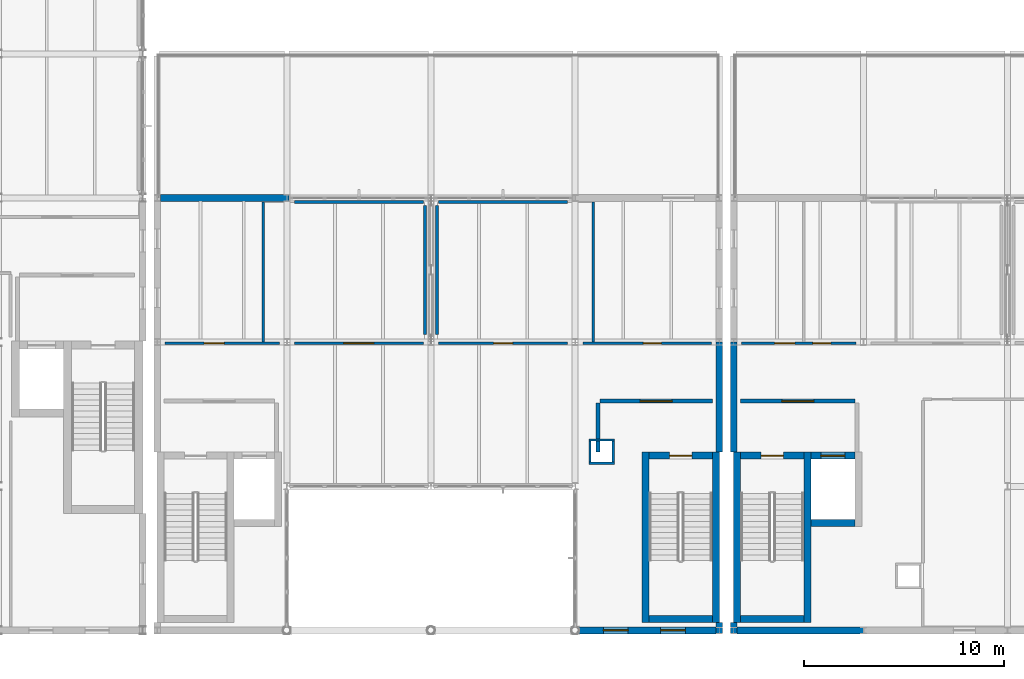
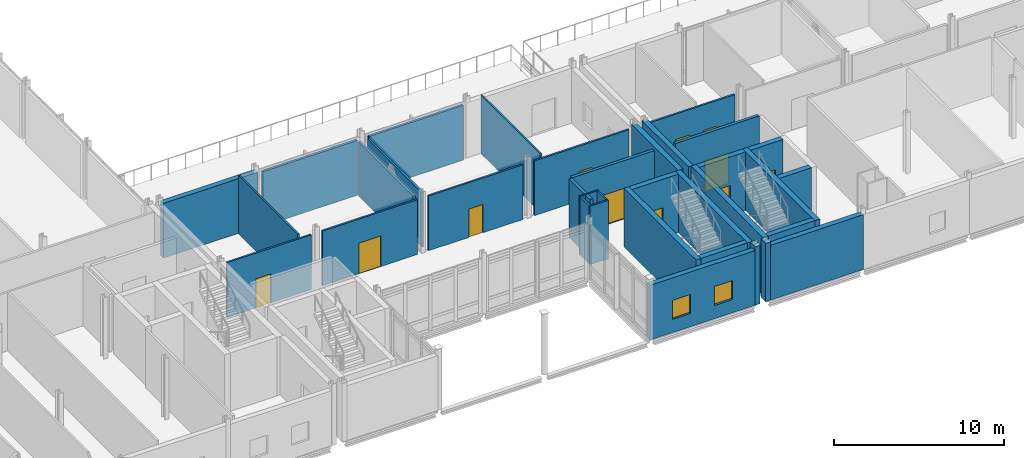
# One storey, part 37 of 53: 35 walls, 11 doors, 2 windows, 13 openings.
"""IFC4 building model written with IfcOpenShell, lengths in metres."""

from ifc_helpers import new_model, si_unit, direction, frame, frame_2d, origin, place, context, subcontext, project, spatial, rectangle, extrude, material, layer, layer_set, type_object, element, fill, save


model = new_model("IFC4")

# Units and contexts
model_context = context("Model", 3, precision=1e-05, world=origin(), true_north=direction((0.0, 1.0)))
body_context = subcontext(model_context, "Body", "Model", "MODEL_VIEW")
ifc_project = project(units=[si_unit("LENGTHUNIT", "METRE"), si_unit("AREAUNIT", "SQUARE_METRE"), si_unit("VOLUMEUNIT", "CUBIC_METRE"), si_unit("PLANEANGLEUNIT", "RADIAN"), si_unit("MASSUNIT", "GRAM", prefix="KILO")], contexts=[model_context])

# Site, building, storey
site_placement = place(None, origin())
site = spatial("IfcSite", under=ifc_project, at=site_placement, CompositionType="ELEMENT")
building_placement = place(site_placement, origin())
building = spatial("IfcBuilding", under=site, at=building_placement, Name="Zarrinpeak Specialist Clinic", CompositionType="ELEMENT")
storey_placement = place(building_placement, frame((0.0, 0.0, 14.0)))
storey = spatial("IfcBuildingStorey", under=building, at=storey_placement, Name="L03", CompositionType="ELEMENT", Elevation=14.0)

# Wall
ifc_material_1 = material(Name="Concrete C40/50", Category="concrete")
ifc_layer_1 = layer(ifc_material_1, 0.35009765625)
ifc_layer_set_1 = layer_set([ifc_layer_1], Name="Concrete C40/50")
wall_type_1 = type_object("IfcWallType", Name="WL-CR350", PredefinedType="SHEAR", material=ifc_layer_set_1)
wall_1_placement = place(storey_placement, frame((54.10009765625, 0.574951171875, 0.0), z_axis=(0.0, 0.0, 1.0), x_axis=(1.0, 0.0, 0.0)))
element("IfcWall", 1, at=wall_1_placement, inside=storey, type_object=wall_type_1, Name="L03 Core C04 Shear Wall STS", PredefinedType="SHEAR", context=body_context, shape_type="SweptSolid", body=[
    extrude(rectangle(XDim=3.14990234375, YDim=0.35009765625, at=frame_2d((1.574951171875, 0.0))), origin(), (0.0, 0.0, 1.0), 4.199951171875),
])

# Wall, opening, door
wall_2_placement = place(storey_placement, frame((54.10009765625, 8.72509765625, 0.0), z_axis=(0.0, 0.0, 1.0), x_axis=(1.0, 0.0, 0.0)))
wall_2 = element("IfcWall", 2, at=wall_2_placement, inside=storey, type_object=wall_type_1, Name="L03 Core C04 Shear Wall STN", PredefinedType="SHEAR", context=body_context, shape_type="SweptSolid", body=[
    extrude(rectangle(XDim=3.14990234375, YDim=0.35009765625, at=frame_2d((1.574951171875, 0.0))), origin(), (0.0, 0.0, 1.0), 4.199951171875),
])
opening_1_placement = place(wall_2_placement, frame((1.02490234375, 0.0, 0.0)))
opening_1 = element("IfcOpeningElement", 3, at=opening_1_placement, cuts=wall_2, Name="Opening D-S02", PredefinedType="OPENING", context=body_context, shape_type="SweptSolid", body=[
    extrude(rectangle(XDim=1.10009765625, YDim=2.14990234375, at=frame_2d((0.550048828125, 1.074951171875))), frame((0.0, 0.18505859375, 0.0), z_axis=(0.0, -1.0, 0.0), x_axis=(1.0, 0.0, 0.0)), (0.0, 0.0, 1.0), 0.3701171875),
])
ifc_material_2 = material(Name="Powder-Coated Galvanised Steel", Category="steel")
door_type_1 = type_object("IfcDoorType", Name="DR-FD110", OperationType="SINGLE_SWING_RIGHT", PredefinedType="DOOR", material=ifc_material_2)
door_1_placement = place(opening_1_placement, frame((1.10009765625, 0.0, 0.0), z_axis=(0.0, 0.0, 1.0), x_axis=(-1.0, 0.0, 0.0)))
door_1 = element("IfcDoor", 4, at=door_1_placement, inside=storey, type_object=door_type_1, Name="L03 Protected Stair ST-04 Fire Door", OperationType="SINGLE_SWING_RIGHT", OverallHeight=2.14990234375, OverallWidth=1.10009765625, PredefinedType="DOOR", context=body_context, shape_type="SweptSolid", body=[
    extrude(rectangle(XDim=1.10009765625, YDim=2.14990234375, at=frame_2d((0.550048828125, 1.074951171875))), frame((0.0, 0.02490234375, 0.0), z_axis=(0.0, -1.0, 0.0), x_axis=(1.0, 0.0, 0.0)), (0.0, 0.0, 1.0), 0.050048828125),
])
fill(opening_1, door_1)

# Walls
for number, where, z_axis, x_axis, name in (
    (5, (53.925048828125, 0.39990234375, 0.0), (0.0, 0.0, 1.0), (0.0, 1.0, 0.0), "L03 Core C04 Shear Wall STW"),
    (6, (57.425048828125, 0.39990234375, 0.0), (0.0, 0.0, 1.0), (0.0, 1.0, 0.0), "L03 Core C04 Shear Wall STE"),
):
    element("IfcWall", number, at=place(storey_placement, frame(where, z_axis=z_axis, x_axis=x_axis)), inside=storey, type_object=wall_type_1, Name=name, PredefinedType="SHEAR", context=body_context, shape_type="SweptSolid", body=[
        extrude(rectangle(XDim=8.5, YDim=0.35009765625, at=frame_2d((4.25, 0.0))), origin(), (0.0, 0.0, 1.0), 4.199951171875),
    ])
wall_3_placement = place(storey_placement, frame((58.669921875, 0.574951171875, 0.0), z_axis=(0.0, 0.0, 1.0), x_axis=(1.0, 0.0, 0.0)))
element("IfcWall", 7, at=wall_3_placement, inside=storey, type_object=wall_type_1, Name="L03 Core C07 Shear Wall STS", PredefinedType="SHEAR", context=body_context, shape_type="SweptSolid", body=[
    extrude(rectangle(XDim=3.150146484375, YDim=0.35009765625, at=frame_2d((1.5751953125, 0.0))), origin(), (0.0, 0.0, 1.0), 4.199951171875),
])

# Wall, opening, door
wall_4_placement = place(storey_placement, frame((58.669921875, 8.72509765625, 0.0), z_axis=(0.0, 0.0, 1.0), x_axis=(1.0, 0.0, 0.0)))
wall_4 = element("IfcWall", 8, at=wall_4_placement, inside=storey, type_object=wall_type_1, Name="L03 Core C07 Shear Wall STN", PredefinedType="SHEAR", context=body_context, shape_type="SweptSolid", body=[
    extrude(rectangle(XDim=3.150146484375, YDim=0.35009765625, at=frame_2d((1.5751953125, 0.0))), origin(), (0.0, 0.0, 1.0), 4.199951171875),
])
opening_2_placement = place(wall_4_placement, frame((1.02490234375, 0.0, 0.0)))
opening_2 = element("IfcOpeningElement", 9, at=opening_2_placement, cuts=wall_4, Name="Opening D-S02", PredefinedType="OPENING", context=body_context, shape_type="SweptSolid", body=[
    extrude(rectangle(XDim=1.10009765625, YDim=2.14990234375, at=frame_2d((0.550048828125, 1.074951171875))), frame((0.0, 0.18505859375, 0.0), z_axis=(0.0, -1.0, 0.0), x_axis=(1.0, 0.0, 0.0)), (0.0, 0.0, 1.0), 0.3701171875),
])
door_2_placement = place(opening_2_placement, frame((1.10009765625, 0.0, 0.0), z_axis=(0.0, 0.0, 1.0), x_axis=(-1.0, 0.0, 0.0)))
door_2 = element("IfcDoor", 10, at=door_2_placement, inside=storey, type_object=door_type_1, Name="L03 Protected Stair ST-07 Fire Door", OperationType="SINGLE_SWING_RIGHT", OverallHeight=2.14990234375, OverallWidth=1.10009765625, PredefinedType="DOOR", context=body_context, shape_type="SweptSolid", body=[
    extrude(rectangle(XDim=1.10009765625, YDim=2.14990234375, at=frame_2d((0.550048828125, 1.074951171875))), frame((0.0, 0.02490234375, 0.0), z_axis=(0.0, -1.0, 0.0), x_axis=(1.0, 0.0, 0.0)), (0.0, 0.0, 1.0), 0.050048828125),
])
fill(opening_2, door_2)

# Walls
for number, where, z_axis, x_axis, name in (
    (11, (58.4951171875, 0.39990234375, 0.0), (0.0, 0.0, 1.0), (0.0, 1.0, 0.0), "L03 Core C07 Shear Wall STW"),
    (12, (61.9951171875, 0.39990234375, 0.0), (0.0, 0.0, 1.0), (0.0, 1.0, 0.0), "L03 Core C07 Shear Wall STE"),
):
    element("IfcWall", number, at=place(storey_placement, frame(where, z_axis=z_axis, x_axis=x_axis)), inside=storey, type_object=wall_type_1, Name=name, PredefinedType="SHEAR", context=body_context, shape_type="SweptSolid", body=[
        extrude(rectangle(XDim=8.5, YDim=0.35009765625, at=frame_2d((4.25, 0.0))), origin(), (0.0, 0.0, 1.0), 4.199951171875),
    ])
wall_5_placement = place(storey_placement, frame((62.169921875, 5.375, 0.0), z_axis=(0.0, 0.0, 1.0), x_axis=(1.0, 0.0, 0.0)))
element("IfcWall", 13, at=wall_5_placement, inside=storey, type_object=wall_type_1, Name="L03 Lift LF-P4 Shaft Wall LFS", PredefinedType="SHEAR", context=body_context, shape_type="SweptSolid", body=[
    extrude(rectangle(XDim=2.2001953125, YDim=0.35009765625, at=frame_2d((1.10009765625, 0.0))), origin(), (0.0, 0.0, 1.0), 4.199951171875),
])

# Wall, opening, door
wall_6_placement = place(storey_placement, frame((62.169921875, 8.72509765625, 0.0), z_axis=(0.0, 0.0, 1.0), x_axis=(1.0, 0.0, 0.0)))
wall_6 = element("IfcWall", 14, at=wall_6_placement, inside=storey, type_object=wall_type_1, Name="L03 Lift LF-P4 Shaft Wall LFN", PredefinedType="SHEAR", context=body_context, shape_type="SweptSolid", body=[
    extrude(rectangle(XDim=2.2001953125, YDim=0.35009765625, at=frame_2d((1.10009765625, 0.0))), origin(), (0.0, 0.0, 1.0), 4.199951171875),
])
opening_3_placement = place(wall_6_placement, frame((0.5, 0.0, 0.0)))
opening_3 = element("IfcOpeningElement", 15, at=opening_3_placement, cuts=wall_6, Name="Opening LD-02", PredefinedType="OPENING", context=body_context, shape_type="SweptSolid", body=[
    extrude(rectangle(XDim=1.199951171875, YDim=2.199951171875, at=frame_2d((0.60009765625, 1.10009765625))), frame((0.0, 0.18505859375, 0.0), z_axis=(0.0, -1.0, 0.0), x_axis=(1.0, 0.0, 0.0)), (0.0, 0.0, 1.0), 0.3701171875),
])
door_type_2 = type_object("IfcDoorType", Name="DR-LD120", OperationType="SLIDING_TO_RIGHT", PredefinedType="DOOR", material=ifc_material_2)
door_3_placement = place(opening_3_placement, origin())
door_3 = element("IfcDoor", 16, at=door_3_placement, inside=storey, type_object=door_type_2, Name="L03 Lift LF-P4 Sliding Landing Door", OperationType="SLIDING_TO_RIGHT", OverallHeight=2.199951171875, OverallWidth=1.199951171875, PredefinedType="DOOR", context=body_context, shape_type="SweptSolid", body=[
    extrude(rectangle(XDim=1.199951171875, YDim=2.199951171875, at=frame_2d((0.60009765625, 1.10009765625))), frame((0.0, 0.02490234375, 0.0), z_axis=(0.0, -1.0, 0.0), x_axis=(1.0, 0.0, 0.0)), (0.0, 0.0, 1.0), 0.050048828125),
])
fill(opening_3, door_3)

# Wall, openings, windows
ifc_material_3 = material(Name="Precast concrete C40/50", Category="concrete")
ifc_layer_2 = layer(ifc_material_3, 0.340087890625)
ifc_layer_set_2 = layer_set([ifc_layer_2], Name="Precast concrete C40/50")
wall_type_2 = type_object("IfcWallType", Name="WL-EW340", PredefinedType="STANDARD", material=ifc_layer_set_2)
wall_7_placement = place(storey_placement, frame((50.2900390625, 0.0, 0.0), z_axis=(0.0, 0.0, 1.0), x_axis=(1.0, 0.0, 0.0)))
wall_7 = element("IfcWall", 17, at=wall_7_placement, inside=storey, type_object=wall_type_2, Name="L03 V2 Exterior GRC Wall EW-L03-V2-0134", PredefinedType="STANDARD", context=body_context, shape_type="SweptSolid", body=[
    extrude(rectangle(XDim=7.139892578125, YDim=0.340087890625, at=frame_2d((3.56982421875, 0.0))), origin(), (0.0, 0.0, 1.0), 3.93505859375),
])
opening_4_placement = place(wall_7_placement, frame((1.52490234375, 0.0, 0.949951171875)))
opening_4 = element("IfcOpeningElement", 18, at=opening_4_placement, cuts=wall_7, Name="Opening WS-51", PredefinedType="OPENING", context=body_context, shape_type="SweptSolid", body=[
    extrude(rectangle(XDim=1.23388671875, YDim=1.367919921875, at=frame_2d((0.616943359375, 0.68408203125))), frame((0.0, 0.18017578125, 0.0), z_axis=(0.0, -1.0, 0.0), x_axis=(1.0, 0.0, 0.0)), (0.0, 0.0, 1.0), 0.360107421875),
])
opening_5_placement = place(wall_7_placement, frame((4.381103515625, 0.0, 0.949951171875)))
opening_5 = element("IfcOpeningElement", 19, at=opening_5_placement, cuts=wall_7, Name="Opening WS-51", PredefinedType="OPENING", context=body_context, shape_type="SweptSolid", body=[
    extrude(rectangle(XDim=1.23388671875, YDim=1.367919921875, at=frame_2d((0.616943359375, 0.68408203125))), frame((0.0, 0.18017578125, 0.0), z_axis=(0.0, -1.0, 0.0), x_axis=(1.0, 0.0, 0.0)), (0.0, 0.0, 1.0), 0.360107421875),
])
ifc_material_4 = material(Name="Thermally Broken Aluminium and Low-E Glazing", Category="aluminium")
window_type = type_object("IfcWindowType", Name="WN-SP51", PartitioningType="SINGLE_PANEL", PredefinedType="WINDOW", material=ifc_material_4)
window_1_placement = place(opening_4_placement, origin())
window_1 = element("IfcWindow", 20, at=window_1_placement, inside=storey, type_object=window_type, Name="L03 Modular Facade Window WN-L03-0170", OverallHeight=1.367919921875, OverallWidth=1.23388671875, PartitioningType="SINGLE_PANEL", PredefinedType="WINDOW", context=body_context, shape_type="SweptSolid", body=[
    extrude(rectangle(XDim=1.23388671875, YDim=1.367919921875, at=frame_2d((0.616943359375, 0.68408203125))), frame((0.0, 0.030029296875, 0.0), z_axis=(0.0, -1.0, 0.0), x_axis=(1.0, 0.0, 0.0)), (0.0, 0.0, 1.0), 0.06005859375),
])
fill(opening_4, window_1)
window_2_placement = place(opening_5_placement, origin())
window_2 = element("IfcWindow", 21, at=window_2_placement, inside=storey, type_object=window_type, Name="L03 Modular Facade Window WN-L03-0171", OverallHeight=1.367919921875, OverallWidth=1.23388671875, PartitioningType="SINGLE_PANEL", PredefinedType="WINDOW", context=body_context, shape_type="SweptSolid", body=[
    extrude(rectangle(XDim=1.23388671875, YDim=1.367919921875, at=frame_2d((0.616943359375, 0.68408203125))), frame((0.0, 0.030029296875, 0.0), z_axis=(0.0, -1.0, 0.0), x_axis=(1.0, 0.0, 0.0)), (0.0, 0.0, 1.0), 0.06005859375),
])
fill(opening_5, window_2)

# Walls
wall_8_placement = place(storey_placement, frame((36.110107421875, 21.60009765625, 0.0), z_axis=(0.0, 0.0, 1.0), x_axis=(-1.0, 0.0, 0.0)))
element("IfcWall", 22, at=wall_8_placement, inside=storey, type_object=wall_type_2, Name="L03 V2 Exterior GRC Wall EW-L03-V2-0135", PredefinedType="STANDARD", context=body_context, shape_type="SweptSolid", body=[
    extrude(rectangle(XDim=6.420166015625, YDim=0.340087890625, at=frame_2d((3.2099609375, 0.0))), origin(), (0.0, 0.0, 1.0), 3.93505859375),
])
wall_9_placement = place(storey_placement, frame((57.60009765625, -0.169921875, 0.0), z_axis=(0.0, 0.0, 1.0), x_axis=(0.0, 1.0, 0.0)))
element("IfcWall", 23, at=wall_9_placement, inside=storey, type_object=wall_type_2, Name="L03 V2 Exterior GRC Wall EW-L03-V2-0140", PredefinedType="STANDARD", context=body_context, shape_type="SweptSolid", body=[
    extrude(rectangle(XDim=0.56982421875, YDim=0.340087890625, at=frame_2d((0.284912109375, 0.0))), origin(), (0.0, 0.0, 1.0), 4.199951171875),
])
wall_10_placement = place(storey_placement, frame((57.60009765625, 8.89990234375, 0.0), z_axis=(0.0, 0.0, 1.0), x_axis=(0.0, 1.0, 0.0)))
element("IfcWall", 24, at=wall_10_placement, inside=storey, type_object=wall_type_2, Name="L03 V2 Exterior GRC Wall EW-L03-V2-0141", PredefinedType="STANDARD", context=body_context, shape_type="SweptSolid", body=[
    extrude(rectangle(XDim=5.5, YDim=0.340087890625, at=frame_2d((2.75, 0.0))), origin(), (0.0, 0.0, 1.0), 4.199951171875),
])
wall_11_placement = place(storey_placement, frame((58.489990234375, 0.0, 0.0), z_axis=(0.0, 0.0, 1.0), x_axis=(1.0, 0.0, 0.0)))
element("IfcWall", 25, at=wall_11_placement, inside=storey, type_object=wall_type_2, Name="L03 V4 Exterior GRC Wall EW-L03-V4-0190", PredefinedType="STANDARD", context=body_context, shape_type="SweptSolid", body=[
    extrude(rectangle(XDim=6.31005859375, YDim=0.340087890625, at=frame_2d((3.155029296875, 0.0))), origin(), (0.0, 0.0, 1.0), 3.93505859375),
])
wall_12_placement = place(storey_placement, frame((58.320068359375, 0.39990234375, 0.0), z_axis=(0.0, 0.0, 1.0), x_axis=(0.0, -1.0, 0.0)))
element("IfcWall", 26, at=wall_12_placement, inside=storey, type_object=wall_type_2, Name="L03 V4 Exterior GRC Wall EW-L03-V4-0196", PredefinedType="STANDARD", context=body_context, shape_type="SweptSolid", body=[
    extrude(rectangle(XDim=0.56982421875, YDim=0.340087890625, at=frame_2d((0.284912109375, 0.0))), origin(), (0.0, 0.0, 1.0), 4.199951171875),
])
wall_13_placement = place(storey_placement, frame((58.320068359375, 14.39990234375, 0.0), z_axis=(0.0, 0.0, 1.0), x_axis=(0.0, -1.0, 0.0)))
element("IfcWall", 27, at=wall_13_placement, inside=storey, type_object=wall_type_2, Name="L03 V4 Exterior GRC Wall EW-L03-V4-0197", PredefinedType="STANDARD", context=body_context, shape_type="SweptSolid", body=[
    extrude(rectangle(XDim=5.5, YDim=0.340087890625, at=frame_2d((2.75, 0.0))), origin(), (0.0, 0.0, 1.0), 4.199951171875),
])
ifc_material_5 = material(Name="Sanitary Service Chase Plumbing Wall", Category="gypsum")
ifc_layer_3 = layer(ifc_material_5, 0.110107421875)
ifc_layer_set_3 = layer_set([ifc_layer_3], Name="Sanitary Service Chase Plumbing Wall")
wall_type_3 = type_object("IfcWallType", Name="WL-IW110", PredefinedType="PARTITIONING", material=ifc_layer_set_3)
for number, where, z_axis, x_axis, name in (
    (28, (51.090087890625, 8.344970703125, 0.0), (0.0, 0.0, 1.0), (1.0, 0.0, 0.0), "L03 V2 Enclosed MEP Service Riser Wall S"),
    (29, (51.090087890625, 9.5048828125, 0.0), (0.0, 0.0, 1.0), (1.0, 0.0, 0.0), "L03 V2 Enclosed MEP Service Riser Wall N"),
):
    element("IfcWall", number, at=place(storey_placement, frame(where, z_axis=z_axis, x_axis=x_axis)), inside=storey, type_object=wall_type_3, Name=name, PredefinedType="PARTITIONING", context=body_context, shape_type="SweptSolid", body=[
        extrude(rectangle(XDim=1.27001953125, YDim=0.110107421875, at=frame_2d((0.635009765625, 0.0))), origin(), (0.0, 0.0, 1.0), 4.199951171875),
    ])
for number, where, z_axis, x_axis, name in (
    (30, (51.14501953125, 8.39990234375, 0.0), (0.0, 0.0, 1.0), (0.0, 1.0, 0.0), "L03 V2 Enclosed MEP Service Riser Wall W"),
    (31, (52.304931640625, 8.39990234375, 0.0), (0.0, 0.0, 1.0), (0.0, 1.0, 0.0), "L03 V2 Enclosed MEP Service Riser Wall E"),
):
    element("IfcWall", number, at=place(storey_placement, frame(where, z_axis=z_axis, x_axis=x_axis)), inside=storey, type_object=wall_type_3, Name=name, PredefinedType="PARTITIONING", context=body_context, shape_type="SweptSolid", body=[
        extrude(rectangle(XDim=1.050048828125, YDim=0.110107421875, at=frame_2d((0.52490234375, 0.0))), origin(), (0.0, 0.0, 1.0), 4.199951171875),
    ])
for number, where, z_axis, x_axis, name in (
    (32, (34.820068359375, 14.41259765625, 0.0), (0.0, 0.0, 1.0), (0.0, 1.0, 0.0), "L03 Accessible Family WC Dividing Partition"),
    (33, (51.300048828125, 14.41259765625, 0.0), (0.0, 0.0, 1.0), (0.0, 1.0, 0.0), "L03 Paediatric Washroom Dividing Partition"),
):
    element("IfcWall", number, at=place(storey_placement, frame(where, z_axis=z_axis, x_axis=x_axis)), inside=storey, type_object=wall_type_3, Name=name, PredefinedType="PARTITIONING", context=body_context, shape_type="SweptSolid", body=[
        extrude(rectangle(XDim=6.9873046875, YDim=0.110107421875, at=frame_2d((3.49365234375, 0.0))), origin(), (0.0, 0.0, 1.0), 4.199951171875),
    ])

# Wall, opening, door
ifc_material_6 = material(Name="Moisture-Resistant Wet-Room Partition", Category="gypsum")
ifc_layer_4 = layer(ifc_material_6, 0.125)
ifc_layer_set_4 = layer_set([ifc_layer_4], Name="Moisture-Resistant Wet-Room Partition")
wall_type_4 = type_object("IfcWallType", Name="WL-IW125W", PredefinedType="PARTITIONING", material=ifc_layer_set_4)
wall_14_placement = place(storey_placement, frame((29.89990234375, 14.35009765625, 0.0), z_axis=(0.0, 0.0, 1.0), x_axis=(1.0, 0.0, 0.0)))
wall_14 = element("IfcWall", 34, at=wall_14_placement, inside=storey, type_object=wall_type_4, Name="L03 Accessible Family WC Partition", PredefinedType="PARTITIONING", context=body_context, shape_type="SweptSolid", body=[
    extrude(rectangle(XDim=5.72021484375, YDim=0.125, at=frame_2d((2.860107421875, 0.0))), origin(), (0.0, 0.0, 1.0), 3.93505859375),
])
opening_6_placement = place(wall_14_placement, frame((1.9599609375, 0.0, 0.0)))
opening_6 = element("IfcOpeningElement", 35, at=opening_6_placement, cuts=wall_14, Name="Opening D-W02", PredefinedType="OPENING", context=body_context, shape_type="SweptSolid", body=[
    extrude(rectangle(XDim=1.0, YDim=2.10009765625, at=frame_2d((0.5, 1.050048828125))), frame((0.0, 0.072509765625, 0.0), z_axis=(0.0, -1.0, 0.0), x_axis=(1.0, 0.0, 0.0)), (0.0, 0.0, 1.0), 0.14501953125),
])
door_type_3 = type_object("IfcDoorType", Name="DR-AWC100", OperationType="SLIDING_TO_LEFT", PredefinedType="DOOR", material=ifc_material_2)
door_4_placement = place(opening_6_placement, frame((1.0, 0.0, 0.0), z_axis=(0.0, 0.0, 1.0), x_axis=(-1.0, 0.0, 0.0)))
door_4 = element("IfcDoor", 36, at=door_4_placement, inside=storey, type_object=door_type_3, Name="L03 Accessible Family WC Door", OperationType="SLIDING_TO_LEFT", OverallHeight=2.10009765625, OverallWidth=1.0, PredefinedType="DOOR", context=body_context, shape_type="SweptSolid", body=[
    extrude(rectangle(XDim=1.0, YDim=2.10009765625, at=frame_2d((0.5, 1.050048828125))), frame((0.0, 0.02490234375, 0.0), z_axis=(0.0, -1.0, 0.0), x_axis=(1.0, 0.0, 0.0)), (0.0, 0.0, 1.0), 0.050048828125),
])
fill(opening_6, door_4)

wall_15_placement = place(storey_placement, frame((36.3798828125, 14.35009765625, 0.0), z_axis=(0.0, 0.0, 1.0), x_axis=(1.0, 0.0, 0.0)))
wall_15 = element("IfcWall", 37, at=wall_15_placement, inside=storey, type_object=wall_type_4, Name="L03 Accessible Family WC Partition", PredefinedType="PARTITIONING", context=body_context, shape_type="SweptSolid", body=[
    extrude(rectangle(XDim=6.440185546875, YDim=0.125, at=frame_2d((3.22021484375, 0.0))), origin(), (0.0, 0.0, 1.0), 3.93505859375),
])
opening_7_placement = place(wall_15_placement, frame((2.469970703125, 0.0, 0.0)))
opening_7 = element("IfcOpeningElement", 38, at=opening_7_placement, cuts=wall_15, Name="Opening D-B01", PredefinedType="OPENING", context=body_context, shape_type="SweptSolid", body=[
    extrude(rectangle(XDim=1.5, YDim=2.199951171875, at=frame_2d((0.75, 1.10009765625))), frame((0.0, 0.072509765625, 0.0), z_axis=(0.0, -1.0, 0.0), x_axis=(1.0, 0.0, 0.0)), (0.0, 0.0, 1.0), 0.14501953125),
])
door_type_4 = type_object("IfcDoorType", Name="DR-BED150", OperationType="DOUBLE_DOOR_SINGLE_SWING", PredefinedType="DOOR", material=ifc_material_2)
door_5_placement = place(opening_7_placement, frame((1.5, 0.0, 0.0), z_axis=(0.0, 0.0, 1.0), x_axis=(-1.0, 0.0, 0.0)))
door_5 = element("IfcDoor", 39, at=door_5_placement, inside=storey, type_object=door_type_4, Name="L03 Paediatric Vaccination Room Door", OperationType="DOUBLE_DOOR_SINGLE_SWING", OverallHeight=2.199951171875, OverallWidth=1.5, PredefinedType="DOOR", context=body_context, shape_type="SweptSolid", body=[
    extrude(rectangle(XDim=1.5, YDim=2.199951171875, at=frame_2d((0.75, 1.10009765625))), frame((0.0, 0.02490234375, 0.0), z_axis=(0.0, -1.0, 0.0), x_axis=(1.0, 0.0, 0.0)), (0.0, 0.0, 1.0), 0.050048828125),
])
fill(opening_7, door_5)

wall_16_placement = place(storey_placement, frame((43.580078125, 14.35009765625, 0.0), z_axis=(0.0, 0.0, 1.0), x_axis=(1.0, 0.0, 0.0)))
wall_16 = element("IfcWall", 40, at=wall_16_placement, inside=storey, type_object=wall_type_4, Name="L03 Paediatric Washroom Partition", PredefinedType="PARTITIONING", context=body_context, shape_type="SweptSolid", body=[
    extrude(rectangle(XDim=6.43994140625, YDim=0.125, at=frame_2d((3.219970703125, 0.0))), origin(), (0.0, 0.0, 1.0), 3.93505859375),
])
opening_8_placement = place(wall_16_placement, frame((2.740966796875, 0.0, 0.0)))
opening_8 = element("IfcOpeningElement", 41, at=opening_8_placement, cuts=wall_16, Name="Opening DS-04", PredefinedType="OPENING", context=body_context, shape_type="SweptSolid", body=[
    extrude(rectangle(XDim=0.9580078125, YDim=2.0400390625, at=frame_2d((0.47900390625, 1.02001953125))), frame((0.0, 0.072509765625, 0.0), z_axis=(0.0, -1.0, 0.0), x_axis=(1.0, 0.0, 0.0)), (0.0, 0.0, 1.0), 0.14501953125),
])
door_type_5 = type_object("IfcDoorType", Name="DR-SP04", OperationType="SINGLE_SWING_LEFT", PredefinedType="DOOR", material=ifc_material_2)
door_6_placement = place(opening_8_placement, frame((0.9580078125, 0.0, 0.0), z_axis=(0.0, 0.0, 1.0), x_axis=(-1.0, 0.0, 0.0)))
door_6 = element("IfcDoor", 42, at=door_6_placement, inside=storey, type_object=door_type_5, Name="L03 Paediatric Growth Clinic Door", OperationType="SINGLE_SWING_LEFT", OverallHeight=2.0400390625, OverallWidth=0.9580078125, PredefinedType="DOOR", context=body_context, shape_type="SweptSolid", body=[
    extrude(rectangle(XDim=0.9580078125, YDim=2.0400390625, at=frame_2d((0.47900390625, 1.02001953125))), frame((0.0, 0.02490234375, 0.0), z_axis=(0.0, -1.0, 0.0), x_axis=(1.0, 0.0, 0.0)), (0.0, 0.0, 1.0), 0.050048828125),
])
fill(opening_8, door_6)

wall_17_placement = place(storey_placement, frame((50.780029296875, 14.35009765625, 0.0), z_axis=(0.0, 0.0, 1.0), x_axis=(1.0, 0.0, 0.0)))
wall_17 = element("IfcWall", 43, at=wall_17_placement, inside=storey, type_object=wall_type_4, Name="L03 Paediatric Washroom Partition", PredefinedType="PARTITIONING", context=body_context, shape_type="SweptSolid", body=[
    extrude(rectangle(XDim=6.43994140625, YDim=0.125, at=frame_2d((3.219970703125, 0.0))), origin(), (0.0, 0.0, 1.0), 3.93505859375),
])
opening_9_placement = place(wall_17_placement, frame((3.030029296875, 0.0, 0.0)))
opening_9 = element("IfcOpeningElement", 44, at=opening_9_placement, cuts=wall_17, Name="Opening D-W01", PredefinedType="OPENING", context=body_context, shape_type="SweptSolid", body=[
    extrude(rectangle(XDim=0.89990234375, YDim=2.10009765625, at=frame_2d((0.449951171875, 1.050048828125))), frame((0.0, 0.072509765625, 0.0), z_axis=(0.0, -1.0, 0.0), x_axis=(1.0, 0.0, 0.0)), (0.0, 0.0, 1.0), 0.14501953125),
])
door_type_6 = type_object("IfcDoorType", Name="DR-WC90", OperationType="SINGLE_SWING_RIGHT", PredefinedType="DOOR", material=ifc_material_2)
door_7_placement = place(opening_9_placement, frame((0.89990234375, 0.0, 0.0), z_axis=(0.0, 0.0, 1.0), x_axis=(-1.0, 0.0, 0.0)))
door_7 = element("IfcDoor", 45, at=door_7_placement, inside=storey, type_object=door_type_6, Name="L03 Paediatric Washroom Door", OperationType="SINGLE_SWING_RIGHT", OverallHeight=2.10009765625, OverallWidth=0.89990234375, PredefinedType="DOOR", context=body_context, shape_type="SweptSolid", body=[
    extrude(rectangle(XDim=0.89990234375, YDim=2.10009765625, at=frame_2d((0.449951171875, 1.050048828125))), frame((0.0, 0.02490234375, 0.0), z_axis=(0.0, -1.0, 0.0), x_axis=(1.0, 0.0, 0.0)), (0.0, 0.0, 1.0), 0.050048828125),
])
fill(opening_9, door_7)

# Wall, openings, doors
wall_18_placement = place(storey_placement, frame((58.699951171875, 14.35009765625, 0.0), z_axis=(0.0, 0.0, 1.0), x_axis=(1.0, 0.0, 0.0)))
wall_18 = element("IfcWall", 46, at=wall_18_placement, inside=storey, type_object=wall_type_4, Name="L03 Accessible Patient WC Partition", PredefinedType="PARTITIONING", context=body_context, shape_type="SweptSolid", body=[
    extrude(rectangle(XDim=5.719970703125, YDim=0.125, at=frame_2d((2.85986328125, 0.0))), origin(), (0.0, 0.0, 1.0), 3.93505859375),
])
opening_10_placement = place(wall_18_placement, frame((1.669921875, 0.0, 0.0)))
opening_10 = element("IfcOpeningElement", 47, at=opening_10_placement, cuts=wall_18, Name="Opening D-W02", PredefinedType="OPENING", context=body_context, shape_type="SweptSolid", body=[
    extrude(rectangle(XDim=1.0, YDim=2.10009765625, at=frame_2d((0.5, 1.050048828125))), frame((0.0, 0.072509765625, 0.0), z_axis=(0.0, -1.0, 0.0), x_axis=(1.0, 0.0, 0.0)), (0.0, 0.0, 1.0), 0.14501953125),
])
opening_11_placement = place(wall_18_placement, frame((3.570068359375, 0.0, 0.0)))
opening_11 = element("IfcOpeningElement", 48, at=opening_11_placement, cuts=wall_18, Name="Opening D-W01", PredefinedType="OPENING", context=body_context, shape_type="SweptSolid", body=[
    extrude(rectangle(XDim=0.89990234375, YDim=2.10009765625, at=frame_2d((0.449951171875, 1.050048828125))), frame((0.0, 0.072509765625, 0.0), z_axis=(0.0, -1.0, 0.0), x_axis=(1.0, 0.0, 0.0)), (0.0, 0.0, 1.0), 0.14501953125),
])
door_8_placement = place(opening_10_placement, frame((1.0, 0.0, 0.0), z_axis=(0.0, 0.0, 1.0), x_axis=(-1.0, 0.0, 0.0)))
door_8 = element("IfcDoor", 49, at=door_8_placement, inside=storey, type_object=door_type_3, Name="L03 Accessible Patient WC Door", OperationType="SLIDING_TO_LEFT", OverallHeight=2.10009765625, OverallWidth=1.0, PredefinedType="DOOR", context=body_context, shape_type="SweptSolid", body=[
    extrude(rectangle(XDim=1.0, YDim=2.10009765625, at=frame_2d((0.5, 1.050048828125))), frame((0.0, 0.02490234375, 0.0), z_axis=(0.0, -1.0, 0.0), x_axis=(1.0, 0.0, 0.0)), (0.0, 0.0, 1.0), 0.050048828125),
])
fill(opening_10, door_8)
door_9_placement = place(opening_11_placement, frame((0.89990234375, 0.0, 0.0), z_axis=(0.0, 0.0, 1.0), x_axis=(-1.0, 0.0, 0.0)))
door_9 = element("IfcDoor", 50, at=door_9_placement, inside=storey, type_object=door_type_6, Name="L03 Staff WC Door", OperationType="SINGLE_SWING_RIGHT", OverallHeight=2.10009765625, OverallWidth=0.89990234375, PredefinedType="DOOR", context=body_context, shape_type="SweptSolid", body=[
    extrude(rectangle(XDim=0.89990234375, YDim=2.10009765625, at=frame_2d((0.449951171875, 1.050048828125))), frame((0.0, 0.02490234375, 0.0), z_axis=(0.0, -1.0, 0.0), x_axis=(1.0, 0.0, 0.0)), (0.0, 0.0, 1.0), 0.050048828125),
])
fill(opening_11, door_9)

# Walls
ifc_material_7 = material(Name="Acoustic Consultation Stud Partition", Category="gypsum")
ifc_layer_5 = layer(ifc_material_7, 0.14208984375)
ifc_layer_set_5 = layer_set([ifc_layer_5], Name="Acoustic Consultation Stud Partition")
wall_type_5 = type_object("IfcWallType", Name="WL-IW142", PredefinedType="PARTITIONING", material=ifc_layer_set_5)
wall_19_placement = place(storey_placement, frame((43.5, 14.780029296875, 0.0), z_axis=(0.0, 0.0, 1.0), x_axis=(0.0, 1.0, 0.0)))
element("IfcWall", 51, at=wall_19_placement, inside=storey, type_object=wall_type_5, Name="L03 Paediatric Growth Clinic Dividing Partition", PredefinedType="PARTITIONING", context=body_context, shape_type="SweptSolid", body=[
    extrude(rectangle(XDim=6.43994140625, YDim=0.14208984375, at=frame_2d((3.219970703125, 0.0))), origin(), (0.0, 0.0, 1.0), 3.89501953125),
])
ifc_material_8 = material(Name="Insulated Clinical Gypsum Stud Partition", Category="gypsum")
ifc_layer_6 = layer(ifc_material_8, 0.14990234375)
ifc_layer_set_6 = layer_set([ifc_layer_6], Name="Insulated Clinical Gypsum Stud Partition")
wall_type_6 = type_object("IfcWallType", Name="WL-IW150", PredefinedType="PARTITIONING", material=ifc_layer_set_6)
wall_20_placement = place(storey_placement, frame((43.580078125, 21.39990234375, 0.0), z_axis=(0.0, 0.0, 1.0), x_axis=(1.0, 0.0, 0.0)))
element("IfcWall", 52, at=wall_20_placement, inside=storey, type_object=wall_type_6, Name="L03 Paediatric Growth Clinic Partition", PredefinedType="PARTITIONING", context=body_context, shape_type="SweptSolid", body=[
    extrude(rectangle(XDim=6.43994140625, YDim=0.14990234375, at=frame_2d((3.219970703125, 0.0))), origin(), (0.0, 0.0, 1.0), 3.93505859375),
])
wall_21_placement = place(storey_placement, frame((42.89990234375, 14.780029296875, 0.0), z_axis=(0.0, 0.0, 1.0), x_axis=(0.0, 1.0, 0.0)))
element("IfcWall", 53, at=wall_21_placement, inside=storey, type_object=wall_type_6, Name="L03 Paediatric Vaccination Room Dividing Partition", PredefinedType="PARTITIONING", context=body_context, shape_type="SweptSolid", body=[
    extrude(rectangle(XDim=6.43994140625, YDim=0.14990234375, at=frame_2d((3.219970703125, 0.0))), origin(), (0.0, 0.0, 1.0), 3.89501953125),
])
ifc_material_9 = material(Name="Acoustic Double Gypsum Stud Partition", Category="gypsum")
ifc_layer_7 = layer(ifc_material_9, 0.159912109375)
ifc_layer_set_7 = layer_set([ifc_layer_7], Name="Acoustic Double Gypsum Stud Partition")
wall_type_7 = type_object("IfcWallType", Name="WL-IW160", PredefinedType="PARTITIONING", material=ifc_layer_set_7)
wall_22_placement = place(storey_placement, frame((36.3798828125, 21.39990234375, 0.0), z_axis=(0.0, 0.0, 1.0), x_axis=(1.0, 0.0, 0.0)))
element("IfcWall", 54, at=wall_22_placement, inside=storey, type_object=wall_type_7, Name="L03 Paediatric Vaccination Room Partition", PredefinedType="PARTITIONING", context=body_context, shape_type="SweptSolid", body=[
    extrude(rectangle(XDim=6.440185546875, YDim=0.159912109375, at=frame_2d((3.22021484375, 0.0))), origin(), (0.0, 0.0, 1.0), 3.93505859375),
])

# Wall, opening, door
ifc_material_10 = material(Name="Autoclaved Aerated Concrete Blockwork", Category="masonry")
ifc_layer_8 = layer(ifc_material_10, 0.199951171875)
ifc_layer_set_8 = layer_set([ifc_layer_8], Name="Autoclaved Aerated Concrete Blockwork")
wall_type_8 = type_object("IfcWallType", Name="WL-IW200", PredefinedType="PARTITIONING", material=ifc_layer_set_8)
wall_23_placement = place(storey_placement, frame((51.64990234375, 11.449951171875, 0.0), z_axis=(0.0, 0.0, 1.0), x_axis=(1.0, 0.0, 0.0)))
wall_23 = element("IfcWall", 55, at=wall_23_placement, inside=storey, type_object=wall_type_8, Name="L03 C04 Protected Lobby Partition LBF", PredefinedType="PARTITIONING", context=body_context, shape_type="SweptSolid", body=[
    extrude(rectangle(XDim=5.60009765625, YDim=0.199951171875, at=frame_2d((2.800048828125, 0.0))), origin(), (0.0, 0.0, 1.0), 4.199951171875),
])
opening_12_placement = place(wall_23_placement, frame((2.0, 0.0, 0.0)))
opening_12 = element("IfcOpeningElement", 56, at=opening_12_placement, cuts=wall_23, Name="Opening D-L01", PredefinedType="OPENING", context=body_context, shape_type="SweptSolid", body=[
    extrude(rectangle(XDim=1.60009765625, YDim=2.199951171875, at=frame_2d((0.800048828125, 1.10009765625))), frame((0.0, 0.10986328125, 0.0), z_axis=(0.0, -1.0, 0.0), x_axis=(1.0, 0.0, 0.0)), (0.0, 0.0, 1.0), 0.219970703125),
])
door_type_7 = type_object("IfcDoorType", Name="DR-LB160", OperationType="DOUBLE_DOOR_SINGLE_SWING", PredefinedType="DOOR", material=ifc_material_2)
door_10_placement = place(opening_12_placement, origin())
door_10 = element("IfcDoor", 57, at=door_10_placement, inside=storey, type_object=door_type_7, Name="L03 C04 Lobby Hold-Open Fire Door", OperationType="DOUBLE_DOOR_SINGLE_SWING", OverallHeight=2.199951171875, OverallWidth=1.60009765625, PredefinedType="DOOR", context=body_context, shape_type="SweptSolid", body=[
    extrude(rectangle(XDim=1.60009765625, YDim=2.199951171875, at=frame_2d((0.800048828125, 1.10009765625))), frame((0.0, 0.02490234375, 0.0), z_axis=(0.0, -1.0, 0.0), x_axis=(1.0, 0.0, 0.0)), (0.0, 0.0, 1.0), 0.050048828125),
])
fill(opening_12, door_10)

# Wall
wall_24_placement = place(storey_placement, frame((51.550048828125, 8.89990234375, 0.0), z_axis=(0.0, 0.0, 1.0), x_axis=(0.0, 1.0, 0.0)))
element("IfcWall", 58, at=wall_24_placement, inside=storey, type_object=wall_type_8, Name="L03 C04 Protected Lobby Partition LBW", PredefinedType="PARTITIONING", context=body_context, shape_type="SweptSolid", body=[
    extrude(rectangle(XDim=2.4501953125, YDim=0.199951171875, at=frame_2d((1.22509765625, 0.0))), origin(), (0.0, 0.0, 1.0), 4.199951171875),
])

# Wall, opening, door
wall_25_placement = place(storey_placement, frame((58.669921875, 11.449951171875, 0.0), z_axis=(0.0, 0.0, 1.0), x_axis=(1.0, 0.0, 0.0)))
wall_25 = element("IfcWall", 59, at=wall_25_placement, inside=storey, type_object=wall_type_8, Name="L03 C07 Protected Lobby Partition LBF", PredefinedType="PARTITIONING", context=body_context, shape_type="SweptSolid", body=[
    extrude(rectangle(XDim=5.7001953125, YDim=0.199951171875, at=frame_2d((2.85009765625, 0.0))), origin(), (0.0, 0.0, 1.0), 4.199951171875),
])
opening_13_placement = place(wall_25_placement, frame((2.050048828125, 0.0, 0.0)))
opening_13 = element("IfcOpeningElement", 60, at=opening_13_placement, cuts=wall_25, Name="Opening D-L01", PredefinedType="OPENING", context=body_context, shape_type="SweptSolid", body=[
    extrude(rectangle(XDim=1.60009765625, YDim=2.199951171875, at=frame_2d((0.800048828125, 1.10009765625))), frame((0.0, 0.10986328125, 0.0), z_axis=(0.0, -1.0, 0.0), x_axis=(1.0, 0.0, 0.0)), (0.0, 0.0, 1.0), 0.219970703125),
])
door_11_placement = place(opening_13_placement, origin())
door_11 = element("IfcDoor", 61, at=door_11_placement, inside=storey, type_object=door_type_7, Name="L03 C07 Lobby Hold-Open Fire Door", OperationType="DOUBLE_DOOR_SINGLE_SWING", OverallHeight=2.199951171875, OverallWidth=1.60009765625, PredefinedType="DOOR", context=body_context, shape_type="SweptSolid", body=[
    extrude(rectangle(XDim=1.60009765625, YDim=2.199951171875, at=frame_2d((0.800048828125, 1.10009765625))), frame((0.0, 0.02490234375, 0.0), z_axis=(0.0, -1.0, 0.0), x_axis=(1.0, 0.0, 0.0)), (0.0, 0.0, 1.0), 0.050048828125),
])
fill(opening_13, door_11)

save(model, "model.ifc")
